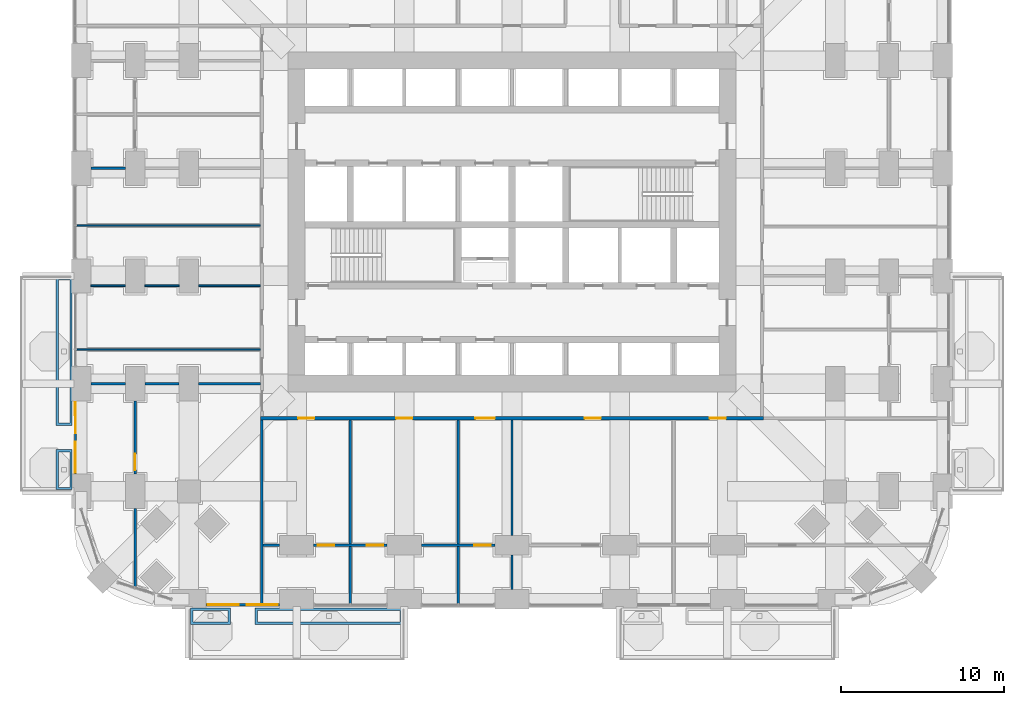
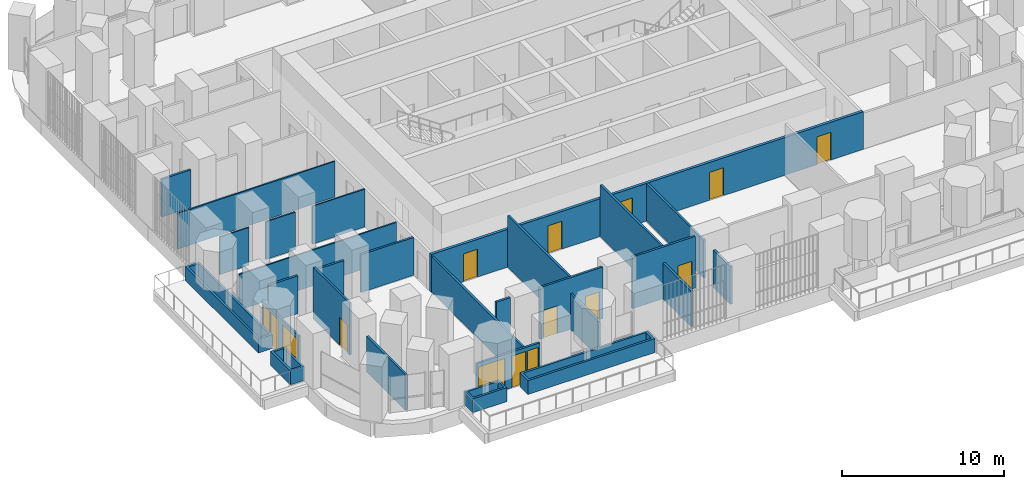
# One storey, part 18 of 27: 28 walls, 11 doors, 4 windows, 15 openings.
"""IFC4 building model written with IfcOpenShell, lengths in metres."""

from ifc_helpers import new_model, si_unit, direction, frame, frame_2d, origin, place, context, subcontext, project, spatial, polyline, rectangle, outline, extrude, material, layer, layer_set, type_object, element, fill, save


model = new_model("IFC4")

# Units and contexts
model_context = context("Model", 3, precision=1e-05, world=origin(), true_north=direction((0.0, 1.0)))
body_context = subcontext(model_context, "Body", "Model", "MODEL_VIEW")
ifc_project = project(units=[si_unit("LENGTHUNIT", "METRE"), si_unit("AREAUNIT", "SQUARE_METRE"), si_unit("VOLUMEUNIT", "CUBIC_METRE"), si_unit("PLANEANGLEUNIT", "RADIAN"), si_unit("MASSUNIT", "GRAM", prefix="KILO")], contexts=[model_context])

# Site, building, storey
site_placement = place(None, origin())
site = spatial("IfcSite", under=ifc_project, at=site_placement, CompositionType="ELEMENT")
building_placement = place(site_placement, origin())
building = spatial("IfcBuilding", under=site, at=building_placement, Name="Cobogo Forest Laboratory Tower", CompositionType="ELEMENT")
storey_placement = place(building_placement, frame((0.0, 0.0, 38.10009765625)))
storey = spatial("IfcBuildingStorey", under=building, at=storey_placement, Name="L08", CompositionType="ELEMENT", Elevation=38.10009765625)

# Wall, openings, door, windows
ifc_material_1 = material(Name="Aluminium framed glazed screen", Category="aluminium")
ifc_layer_1 = layer(ifc_material_1, 0.14990234375)
ifc_layer_set_1 = layer_set([ifc_layer_1], Name="GS1 glazed door screen 150")
wall_type_1 = type_object("IfcWallType", Name="GS1 glazed door screen 150", PredefinedType="SOLIDWALL", material=ifc_layer_set_1)
wall_1_placement = place(storey_placement, frame((7.64990234375, -0.35009765625, 0.0), z_axis=(0.0, 0.0, 1.0), x_axis=(1.0, 0.0, 0.0)))
wall_1 = element("IfcWall", 1, at=wall_1_placement, inside=storey, type_object=wall_type_1, Name="Door screen BAL-S1 L08", PredefinedType="SOLIDWALL", context=body_context, shape_type="SweptSolid", body=[
    extrude(rectangle(XDim=4.5, YDim=0.14990234375, at=frame_2d((2.25, 0.0))), origin(), (0.0, 0.0, 1.0), 2.699951171875),
])
opening_1_placement = place(wall_1_placement, frame((2.5, 0.0, 0.0)))
opening_1 = element("IfcOpeningElement", 2, at=opening_1_placement, cuts=wall_1, Name="Opening L08-D01", PredefinedType="OPENING", context=body_context, shape_type="SweptSolid", body=[
    extrude(rectangle(XDim=1.0, YDim=2.39990234375, at=frame_2d((0.5, 1.199951171875))), frame((0.0, 0.0849609375, 0.0), z_axis=(0.0, -1.0, 0.0), x_axis=(1.0, 0.0, 0.0)), (0.0, 0.0, 1.0), 0.169921875),
])
opening_2_placement = place(wall_1_placement, frame((0.10009765625, 0.0, 0.10009765625)))
opening_2 = element("IfcOpeningElement", 3, at=opening_2_placement, cuts=wall_1, Name="Opening L08-W01", PredefinedType="OPENING", context=body_context, shape_type="SweptSolid", body=[
    extrude(rectangle(XDim=1.89990234375, YDim=2.300048828125, at=frame_2d((0.949951171875, 1.14990234375))), frame((0.0, 0.0849609375, 0.0), z_axis=(0.0, -1.0, 0.0), x_axis=(1.0, 0.0, 0.0)), (0.0, 0.0, 1.0), 0.169921875),
])
opening_3_placement = place(wall_1_placement, frame((3.60009765625, 0.0, 0.10009765625)))
opening_3 = element("IfcOpeningElement", 4, at=opening_3_placement, cuts=wall_1, Name="Opening L08-W02", PredefinedType="OPENING", context=body_context, shape_type="SweptSolid", body=[
    extrude(rectangle(XDim=0.800048828125, YDim=2.300048828125, at=frame_2d((0.39990234375, 1.14990234375))), frame((0.0, 0.0849609375, 0.0), z_axis=(0.0, -1.0, 0.0), x_axis=(1.0, 0.0, 0.0)), (0.0, 0.0, 1.0), 0.169921875),
])
ifc_material_2 = material(Name="Aluminium glazed door", Category="aluminium")
door_type_1 = type_object("IfcDoorType", Name="DB1 balcony door 1000 glazed", OperationType="SINGLE_SWING_LEFT", PredefinedType="DOOR", material=ifc_material_2)
door_1_placement = place(opening_1_placement, origin())
door_1 = element("IfcDoor", 5, at=door_1_placement, inside=storey, type_object=door_type_1, Name="Door L08-BAL-S1", OperationType="SINGLE_SWING_RIGHT", OverallHeight=2.39990234375, OverallWidth=1.0, PredefinedType="DOOR", context=body_context, shape_type="SweptSolid", body=[
    extrude(rectangle(XDim=1.0, YDim=2.39990234375, at=frame_2d((0.5, 1.199951171875))), frame((0.0, 0.02490234375, 0.0), z_axis=(0.0, -1.0, 0.0), x_axis=(1.0, 0.0, 0.0)), (0.0, 0.0, 1.0), 0.050048828125),
])
fill(opening_1, door_1)
ifc_material_3 = material(Name="Aluminium framed glazing", Category="aluminium")
window_type_1 = type_object("IfcWindowType", Name="WG3 fixed glazed light 1900x2300", PartitioningType="SINGLE_PANEL", PredefinedType="WINDOW", material=ifc_material_3)
window_1_placement = place(opening_2_placement, origin())
window_1 = element("IfcWindow", 6, at=window_1_placement, inside=storey, type_object=window_type_1, Name="Window L08-BAL-S1-1", OverallHeight=2.300048828125, OverallWidth=1.89990234375, PartitioningType="SINGLE_PANEL", PredefinedType="WINDOW", context=body_context, shape_type="SweptSolid", body=[
    extrude(rectangle(XDim=1.89990234375, YDim=2.300048828125, at=frame_2d((0.949951171875, 1.14990234375))), frame((0.0, 0.030029296875, 0.0), z_axis=(0.0, -1.0, 0.0), x_axis=(1.0, 0.0, 0.0)), (0.0, 0.0, 1.0), 0.06005859375),
])
fill(opening_2, window_1)
window_type_2 = type_object("IfcWindowType", Name="WG4 fixed glazed light 800x2300", PartitioningType="SINGLE_PANEL", PredefinedType="WINDOW", material=ifc_material_3)
window_2_placement = place(opening_3_placement, origin())
window_2 = element("IfcWindow", 7, at=window_2_placement, inside=storey, type_object=window_type_2, Name="Window L08-BAL-S1-2", OverallHeight=2.300048828125, OverallWidth=0.800048828125, PartitioningType="SINGLE_PANEL", PredefinedType="WINDOW", context=body_context, shape_type="SweptSolid", body=[
    extrude(rectangle(XDim=0.800048828125, YDim=2.300048828125, at=frame_2d((0.39990234375, 1.14990234375))), frame((0.0, 0.030029296875, 0.0), z_axis=(0.0, -1.0, 0.0), x_axis=(1.0, 0.0, 0.0)), (0.0, 0.0, 1.0), 0.06005859375),
])
fill(opening_3, window_2)

wall_2_placement = place(storey_placement, frame((-0.35009765625, 12.14990234375, 0.0), z_axis=(0.0, 0.0, 1.0), x_axis=(0.0, -1.0, 0.0)))
wall_2 = element("IfcWall", 8, at=wall_2_placement, inside=storey, type_object=wall_type_1, Name="Door screen BAL-W1 L08", PredefinedType="SOLIDWALL", context=body_context, shape_type="SweptSolid", body=[
    extrude(rectangle(XDim=4.5, YDim=0.14990234375, at=frame_2d((2.25, 0.0))), origin(), (0.0, 0.0, 1.0), 2.699951171875),
])
opening_4_placement = place(wall_2_placement, frame((1.0, 0.0, 0.0)))
opening_4 = element("IfcOpeningElement", 9, at=opening_4_placement, cuts=wall_2, Name="Opening L08-D09", PredefinedType="OPENING", context=body_context, shape_type="SweptSolid", body=[
    extrude(rectangle(XDim=1.0, YDim=2.39990234375, at=frame_2d((0.5, 1.199951171875))), frame((0.0, 0.0849609375, 0.0), z_axis=(0.0, -1.0, 0.0), x_axis=(1.0, 0.0, 0.0)), (0.0, 0.0, 1.0), 0.169921875),
])
opening_5_placement = place(wall_2_placement, frame((0.10009765625, 0.0, 0.10009765625)))
opening_5 = element("IfcOpeningElement", 10, at=opening_5_placement, cuts=wall_2, Name="Opening L08-W07", PredefinedType="OPENING", context=body_context, shape_type="SweptSolid", body=[
    extrude(rectangle(XDim=0.800048828125, YDim=2.300048828125, at=frame_2d((0.39990234375, 1.14990234375))), frame((0.0, 0.0849609375, 0.0), z_axis=(0.0, -1.0, 0.0), x_axis=(1.0, 0.0, 0.0)), (0.0, 0.0, 1.0), 0.169921875),
])
opening_6_placement = place(wall_2_placement, frame((2.5, 0.0, 0.10009765625)))
opening_6 = element("IfcOpeningElement", 11, at=opening_6_placement, cuts=wall_2, Name="Opening L08-W05", PredefinedType="OPENING", context=body_context, shape_type="SweptSolid", body=[
    extrude(rectangle(XDim=1.89990234375, YDim=2.300048828125, at=frame_2d((0.949951171875, 1.14990234375))), frame((0.0, 0.0849609375, 0.0), z_axis=(0.0, -1.0, 0.0), x_axis=(1.0, 0.0, 0.0)), (0.0, 0.0, 1.0), 0.169921875),
])
door_2_placement = place(opening_4_placement, origin())
door_2 = element("IfcDoor", 12, at=door_2_placement, inside=storey, type_object=door_type_1, Name="Door L08-BAL-W1", OperationType="SINGLE_SWING_LEFT", OverallHeight=2.39990234375, OverallWidth=1.0, PredefinedType="DOOR", context=body_context, shape_type="SweptSolid", body=[
    extrude(rectangle(XDim=1.0, YDim=2.39990234375, at=frame_2d((0.5, 1.199951171875))), frame((0.0, 0.02490234375, 0.0), z_axis=(0.0, -1.0, 0.0), x_axis=(1.0, 0.0, 0.0)), (0.0, 0.0, 1.0), 0.050048828125),
])
fill(opening_4, door_2)
window_3_placement = place(opening_6_placement, origin())
window_3 = element("IfcWindow", 13, at=window_3_placement, inside=storey, type_object=window_type_1, Name="Window L08-BAL-W1-2", OverallHeight=2.300048828125, OverallWidth=1.89990234375, PartitioningType="SINGLE_PANEL", PredefinedType="WINDOW", context=body_context, shape_type="SweptSolid", body=[
    extrude(rectangle(XDim=1.89990234375, YDim=2.300048828125, at=frame_2d((0.949951171875, 1.14990234375))), frame((0.0, 0.030029296875, 0.0), z_axis=(0.0, -1.0, 0.0), x_axis=(1.0, 0.0, 0.0)), (0.0, 0.0, 1.0), 0.06005859375),
])
fill(opening_6, window_3)
window_4_placement = place(opening_5_placement, origin())
window_4 = element("IfcWindow", 14, at=window_4_placement, inside=storey, type_object=window_type_2, Name="Window L08-BAL-W1-1", OverallHeight=2.300048828125, OverallWidth=0.800048828125, PartitioningType="SINGLE_PANEL", PredefinedType="WINDOW", context=body_context, shape_type="SweptSolid", body=[
    extrude(rectangle(XDim=0.800048828125, YDim=2.300048828125, at=frame_2d((0.39990234375, 1.14990234375))), frame((0.0, 0.030029296875, 0.0), z_axis=(0.0, -1.0, 0.0), x_axis=(1.0, 0.0, 0.0)), (0.0, 0.0, 1.0), 0.06005859375),
])
fill(opening_5, window_4)

# Walls
ifc_material_4 = material(Name="Gypsum board on steel studs", Category="steel")
ifc_layer_2 = layer(ifc_material_4, 0.14990234375)
ifc_layer_set_2 = layer_set([ifc_layer_2], Name="PT1 laboratory partition 150")
wall_type_2 = type_object("IfcWallType", Name="PT1 laboratory partition 150", PredefinedType="PARTITIONING", material=ifc_layer_set_2)
wall_3_placement = place(storey_placement, frame((11.074951171875, -0.27001953125, 0.0), z_axis=(0.0, 0.0, 1.0), x_axis=(0.0, 1.0, 0.0)))
element("IfcWall", 15, at=wall_3_placement, inside=storey, type_object=wall_type_2, Name="Partition PW-SW L08", PredefinedType="PARTITIONING", context=body_context, shape_type="SweptSolid", body=[
    extrude(rectangle(XDim=11.2451171875, YDim=0.14990234375, at=frame_2d((5.62255859375, 0.0))), origin(), (0.0, 0.0, 1.0), 2.699951171875),
])
wall_4_placement = place(storey_placement, frame((11.14990234375, 3.300048828125, 0.0), z_axis=(0.0, 0.0, 1.0), x_axis=(1.0, 0.0, 0.0)))
element("IfcWall", 16, at=wall_4_placement, inside=storey, type_object=wall_type_2, Name="Partition STRIP-S-1 L08", PredefinedType="PARTITIONING", context=body_context, shape_type="SweptSolid", body=[
    extrude(rectangle(XDim=1.0, YDim=0.14990234375, at=frame_2d((0.5, 0.0))), origin(), (0.0, 0.0, 1.0), 3.89990234375),
])

# Wall, openings, doors
wall_5_placement = place(storey_placement, frame((14.25, 3.300048828125, 0.0), z_axis=(0.0, 0.0, 1.0), x_axis=(1.0, 0.0, 0.0)))
wall_5 = element("IfcWall", 17, at=wall_5_placement, inside=storey, type_object=wall_type_2, Name="Partition STRIP-S-2 L08", PredefinedType="PARTITIONING", context=body_context, shape_type="SweptSolid", body=[
    extrude(rectangle(XDim=4.5, YDim=0.14990234375, at=frame_2d((2.25, 0.0))), origin(), (0.0, 0.0, 1.0), 3.89990234375),
])
opening_7_placement = place(wall_5_placement, frame((0.25, 0.0, 0.0)))
opening_7 = element("IfcOpeningElement", 18, at=opening_7_placement, cuts=wall_5, Name="Opening L08-D03", PredefinedType="OPENING", context=body_context, shape_type="SweptSolid", body=[
    extrude(rectangle(XDim=1.0, YDim=2.10009765625, at=frame_2d((0.5, 1.050048828125))), frame((0.0, 0.0849609375, 0.0), z_axis=(0.0, -1.0, 0.0), x_axis=(1.0, 0.0, 0.0)), (0.0, 0.0, 1.0), 0.169921875),
])
opening_8_placement = place(wall_5_placement, frame((3.25, 0.0, 0.0)))
opening_8 = element("IfcOpeningElement", 19, at=opening_8_placement, cuts=wall_5, Name="Opening L08-D04", PredefinedType="OPENING", context=body_context, shape_type="SweptSolid", body=[
    extrude(rectangle(XDim=1.0, YDim=2.10009765625, at=frame_2d((0.5, 1.050048828125))), frame((0.0, 0.0849609375, 0.0), z_axis=(0.0, -1.0, 0.0), x_axis=(1.0, 0.0, 0.0)), (0.0, 0.0, 1.0), 0.169921875),
])
ifc_material_5 = material(Name="Timber fire door", Category="wood")
door_type_2 = type_object("IfcDoorType", Name="FD2 fire door 1000 EI2 30", OperationType="SINGLE_SWING_LEFT", PredefinedType="DOOR", material=ifc_material_5)
door_3_placement = place(opening_7_placement, origin())
door_3 = element("IfcDoor", 20, at=door_3_placement, inside=storey, type_object=door_type_2, Name="Door L08-S1W", OperationType="SINGLE_SWING_LEFT", OverallHeight=2.10009765625, OverallWidth=1.0, PredefinedType="DOOR", context=body_context, shape_type="SweptSolid", body=[
    extrude(rectangle(XDim=1.0, YDim=2.10009765625, at=frame_2d((0.5, 1.050048828125))), frame((0.0, 0.02490234375, 0.0), z_axis=(0.0, -1.0, 0.0), x_axis=(1.0, 0.0, 0.0)), (0.0, 0.0, 1.0), 0.050048828125),
])
fill(opening_7, door_3)
door_4_placement = place(opening_8_placement, origin())
door_4 = element("IfcDoor", 21, at=door_4_placement, inside=storey, type_object=door_type_2, Name="Door L08-S2W", OperationType="SINGLE_SWING_RIGHT", OverallHeight=2.10009765625, OverallWidth=1.0, PredefinedType="DOOR", context=body_context, shape_type="SweptSolid", body=[
    extrude(rectangle(XDim=1.0, YDim=2.10009765625, at=frame_2d((0.5, 1.050048828125))), frame((0.0, 0.02490234375, 0.0), z_axis=(0.0, -1.0, 0.0), x_axis=(1.0, 0.0, 0.0)), (0.0, 0.0, 1.0), 0.050048828125),
])
fill(opening_8, door_4)

# Wall, opening, door
wall_6_placement = place(storey_placement, frame((20.85009765625, 3.300048828125, 0.0), z_axis=(0.0, 0.0, 1.0), x_axis=(1.0, 0.0, 0.0)))
wall_6 = element("IfcWall", 22, at=wall_6_placement, inside=storey, type_object=wall_type_2, Name="Partition STRIP-S-3 L08", PredefinedType="PARTITIONING", context=body_context, shape_type="SweptSolid", body=[
    extrude(rectangle(XDim=4.5, YDim=0.14990234375, at=frame_2d((2.25, 0.0))), origin(), (0.0, 0.0, 1.0), 3.89990234375),
])
opening_9_placement = place(wall_6_placement, frame((3.25, 0.0, 0.0)))
opening_9 = element("IfcOpeningElement", 23, at=opening_9_placement, cuts=wall_6, Name="Opening L08-D05", PredefinedType="OPENING", context=body_context, shape_type="SweptSolid", body=[
    extrude(rectangle(XDim=1.0, YDim=2.10009765625, at=frame_2d((0.5, 1.050048828125))), frame((0.0, 0.0849609375, 0.0), z_axis=(0.0, -1.0, 0.0), x_axis=(1.0, 0.0, 0.0)), (0.0, 0.0, 1.0), 0.169921875),
])
door_5_placement = place(opening_9_placement, origin())
door_5 = element("IfcDoor", 24, at=door_5_placement, inside=storey, type_object=door_type_2, Name="Door L08-S3W", OperationType="SINGLE_SWING_RIGHT", OverallHeight=2.10009765625, OverallWidth=1.0, PredefinedType="DOOR", context=body_context, shape_type="SweptSolid", body=[
    extrude(rectangle(XDim=1.0, YDim=2.10009765625, at=frame_2d((0.5, 1.050048828125))), frame((0.0, 0.02490234375, 0.0), z_axis=(0.0, -1.0, 0.0), x_axis=(1.0, 0.0, 0.0)), (0.0, 0.0, 1.0), 0.050048828125),
])
fill(opening_9, door_5)

# Walls
wall_7_placement = place(storey_placement, frame((16.5, -0.27001953125, 0.0), z_axis=(0.0, 0.0, 1.0), x_axis=(0.0, 1.0, 0.0)))
element("IfcWall", 25, at=wall_7_placement, inside=storey, type_object=wall_type_2, Name="Partition CUT-S16.5a-1 L08", PredefinedType="PARTITIONING", context=body_context, shape_type="SweptSolid", body=[
    extrude(rectangle(XDim=3.4951171875, YDim=0.14990234375, at=frame_2d((1.74755859375, 0.0))), origin(), (0.0, 0.0, 1.0), 2.699951171875),
])
wall_8_placement = place(storey_placement, frame((16.5, 3.375, 0.0), z_axis=(0.0, 0.0, 1.0), x_axis=(0.0, 1.0, 0.0)))
element("IfcWall", 26, at=wall_8_placement, inside=storey, type_object=wall_type_2, Name="Partition CUT-S16.5b-1 L08", PredefinedType="PARTITIONING", context=body_context, shape_type="SweptSolid", body=[
    extrude(rectangle(XDim=7.60009765625, YDim=0.14990234375, at=frame_2d((3.800048828125, 0.0))), origin(), (0.0, 0.0, 1.0), 3.89990234375),
])
wall_9_placement = place(storey_placement, frame((23.10009765625, -0.27001953125, 0.0), z_axis=(0.0, 0.0, 1.0), x_axis=(0.0, 1.0, 0.0)))
element("IfcWall", 27, at=wall_9_placement, inside=storey, type_object=wall_type_2, Name="Partition CUT-S23.1a-1 L08", PredefinedType="PARTITIONING", context=body_context, shape_type="SweptSolid", body=[
    extrude(rectangle(XDim=3.4951171875, YDim=0.14990234375, at=frame_2d((1.74755859375, 0.0))), origin(), (0.0, 0.0, 1.0), 2.699951171875),
])
wall_10_placement = place(storey_placement, frame((23.10009765625, 3.375, 0.0), z_axis=(0.0, 0.0, 1.0), x_axis=(0.0, 1.0, 0.0)))
element("IfcWall", 28, at=wall_10_placement, inside=storey, type_object=wall_type_2, Name="Partition CUT-S23.1b-1 L08", PredefinedType="PARTITIONING", context=body_context, shape_type="SweptSolid", body=[
    extrude(rectangle(XDim=7.60009765625, YDim=0.14990234375, at=frame_2d((3.800048828125, 0.0))), origin(), (0.0, 0.0, 1.0), 3.89990234375),
])
wall_11_placement = place(storey_placement, frame((26.39990234375, 0.60009765625, 0.0), z_axis=(0.0, 0.0, 1.0), x_axis=(0.0, 1.0, 0.0)))
element("IfcWall", 29, at=wall_11_placement, inside=storey, type_object=wall_type_2, Name="Partition CUT-S26.4a-1 L08", PredefinedType="PARTITIONING", context=body_context, shape_type="SweptSolid", body=[
    extrude(rectangle(XDim=2.099853515625, YDim=0.14990234375, at=frame_2d((1.0498046875, 0.0))), origin(), (0.0, 0.0, 1.0), 2.849853515625),
])
wall_12_placement = place(storey_placement, frame((26.39990234375, 3.89990234375, 0.0), z_axis=(0.0, 0.0, 1.0), x_axis=(0.0, 1.0, 0.0)))
element("IfcWall", 30, at=wall_12_placement, inside=storey, type_object=wall_type_2, Name="Partition CUT-S26.4b-1 L08", PredefinedType="PARTITIONING", context=body_context, shape_type="SweptSolid", body=[
    extrude(rectangle(XDim=7.0751953125, YDim=0.14990234375, at=frame_2d((3.53759765625, 0.0))), origin(), (0.0, 0.0, 1.0), 2.849853515625),
])

# Wall, opening, door
wall_13_placement = place(storey_placement, frame((3.300048828125, 12.14990234375, 0.0), z_axis=(0.0, 0.0, 1.0), x_axis=(0.0, -1.0, 0.0)))
wall_13 = element("IfcWall", 31, at=wall_13_placement, inside=storey, type_object=wall_type_2, Name="Partition STRIP-W-2 L08", PredefinedType="PARTITIONING", context=body_context, shape_type="SweptSolid", body=[
    extrude(rectangle(XDim=4.5, YDim=0.14990234375, at=frame_2d((2.25, 0.0))), origin(), (0.0, 0.0, 1.0), 3.89990234375),
])
opening_10_placement = place(wall_13_placement, frame((3.25, 0.0, 0.0)))
opening_10 = element("IfcOpeningElement", 32, at=opening_10_placement, cuts=wall_13, Name="Opening L08-D08", PredefinedType="OPENING", context=body_context, shape_type="SweptSolid", body=[
    extrude(rectangle(XDim=1.0, YDim=2.10009765625, at=frame_2d((0.5, 1.050048828125))), frame((0.0, 0.0849609375, 0.0), z_axis=(0.0, -1.0, 0.0), x_axis=(1.0, 0.0, 0.0)), (0.0, 0.0, 1.0), 0.169921875),
])
door_6_placement = place(opening_10_placement, origin())
door_6 = element("IfcDoor", 33, at=door_6_placement, inside=storey, type_object=door_type_2, Name="Door L08-W1W", OperationType="SINGLE_SWING_RIGHT", OverallHeight=2.10009765625, OverallWidth=1.0, PredefinedType="DOOR", context=body_context, shape_type="SweptSolid", body=[
    extrude(rectangle(XDim=1.0, YDim=2.10009765625, at=frame_2d((0.5, 1.050048828125))), frame((0.0, 0.02490234375, 0.0), z_axis=(0.0, -1.0, 0.0), x_axis=(1.0, 0.0, 0.0)), (0.0, 0.0, 1.0), 0.050048828125),
])
fill(opening_10, door_6)

# Walls
wall_14_placement = place(storey_placement, frame((3.300048828125, 5.550048828125, 0.0), z_axis=(0.0, 0.0, 1.0), x_axis=(0.0, -1.0, 0.0)))
element("IfcWall", 34, at=wall_14_placement, inside=storey, type_object=wall_type_2, Name="Partition STRIP-W-3 L08", PredefinedType="PARTITIONING", context=body_context, shape_type="SweptSolid", body=[
    extrude(rectangle(XDim=4.77392578125, YDim=0.14990234375, at=frame_2d((2.386962890625, 0.0))), origin(), (0.0, 0.0, 1.0), 2.699951171875),
])
wall_15_placement = place(storey_placement, frame((0.60009765625, 13.199951171875, 0.0), z_axis=(0.0, 0.0, 1.0), x_axis=(1.0, 0.0, 0.0)))
element("IfcWall", 35, at=wall_15_placement, inside=storey, type_object=wall_type_2, Name="Partition CUT-W13.2-1 L08", PredefinedType="PARTITIONING", context=body_context, shape_type="SweptSolid", body=[
    extrude(rectangle(XDim=2.099853515625, YDim=0.14990234375, at=frame_2d((1.0498046875, 0.0))), origin(), (0.0, 0.0, 1.0), 2.849853515625),
])
wall_16_placement = place(storey_placement, frame((3.89990234375, 13.199951171875, 0.0), z_axis=(0.0, 0.0, 1.0), x_axis=(1.0, 0.0, 0.0)))
element("IfcWall", 36, at=wall_16_placement, inside=storey, type_object=wall_type_2, Name="Partition CUT-W13.2-2 L08", PredefinedType="PARTITIONING", context=body_context, shape_type="SweptSolid", body=[
    extrude(rectangle(XDim=2.10009765625, YDim=0.14990234375, at=frame_2d((1.050048828125, 0.0))), origin(), (0.0, 0.0, 1.0), 2.849853515625),
])
wall_17_placement = place(storey_placement, frame((7.199951171875, 13.199951171875, 0.0), z_axis=(0.0, 0.0, 1.0), x_axis=(1.0, 0.0, 0.0)))
element("IfcWall", 37, at=wall_17_placement, inside=storey, type_object=wall_type_2, Name="Partition CUT-W13.2-3 L08", PredefinedType="PARTITIONING", context=body_context, shape_type="SweptSolid", body=[
    extrude(rectangle(XDim=3.775146484375, YDim=0.14990234375, at=frame_2d((1.8876953125, 0.0))), origin(), (0.0, 0.0, 1.0), 2.849853515625),
])
wall_18_placement = place(storey_placement, frame((0.60009765625, 26.39990234375, 0.0), z_axis=(0.0, 0.0, 1.0), x_axis=(1.0, 0.0, 0.0)))
element("IfcWall", 38, at=wall_18_placement, inside=storey, type_object=wall_type_2, Name="Partition CUT-W26.4-1 L08", PredefinedType="PARTITIONING", context=body_context, shape_type="SweptSolid", body=[
    extrude(rectangle(XDim=2.099853515625, YDim=0.14990234375, at=frame_2d((1.0498046875, 0.0))), origin(), (0.0, 0.0, 1.0), 2.849853515625),
])

# Wall, openings, doors
ifc_layer_3 = layer(ifc_material_4, 0.199951171875)
ifc_layer_set_3 = layer_set([ifc_layer_3], Name="PT2 fire-rated corridor partition 200")
wall_type_3 = type_object("IfcWallType", Name="PT2 fire-rated corridor partition 200", PredefinedType="PARTITIONING", material=ifc_layer_set_3)
wall_19_placement = place(storey_placement, frame((10.97509765625, 11.074951171875, 0.0), z_axis=(0.0, 0.0, 1.0), x_axis=(1.0, 0.0, 0.0)))
wall_19 = element("IfcWall", 39, at=wall_19_placement, inside=storey, type_object=wall_type_3, Name="Partition CORR-S L08", PredefinedType="PARTITIONING", context=body_context, shape_type="SweptSolid", body=[
    extrude(rectangle(XDim=30.849853515625, YDim=0.199951171875, at=frame_2d((15.4248046875, 0.0))), origin(), (0.0, 0.0, 1.0), 2.849853515625),
])
opening_11_placement = place(wall_19_placement, frame((2.3125, 0.0, 0.0)))
opening_11 = element("IfcOpeningElement", 40, at=opening_11_placement, cuts=wall_19, Name="Opening L08-D11", PredefinedType="OPENING", context=body_context, shape_type="SweptSolid", body=[
    extrude(rectangle(XDim=1.0, YDim=2.10009765625, at=frame_2d((0.5, 1.050048828125))), frame((0.0, 0.10986328125, 0.0), z_axis=(0.0, -1.0, 0.0), x_axis=(1.0, 0.0, 0.0)), (0.0, 0.0, 1.0), 0.219970703125),
])
opening_12_placement = place(wall_19_placement, frame((8.324951171875, 0.0, 0.0)))
opening_12 = element("IfcOpeningElement", 41, at=opening_12_placement, cuts=wall_19, Name="Opening L08-D12", PredefinedType="OPENING", context=body_context, shape_type="SweptSolid", body=[
    extrude(rectangle(XDim=1.0, YDim=2.10009765625, at=frame_2d((0.5, 1.050048828125))), frame((0.0, 0.10986328125, 0.0), z_axis=(0.0, -1.0, 0.0), x_axis=(1.0, 0.0, 0.0)), (0.0, 0.0, 1.0), 0.219970703125),
])
opening_13_placement = place(wall_19_placement, frame((13.175048828125, 0.0, 0.0)))
opening_13 = element("IfcOpeningElement", 42, at=opening_13_placement, cuts=wall_19, Name="Opening L08-D13", PredefinedType="OPENING", context=body_context, shape_type="SweptSolid", body=[
    extrude(rectangle(XDim=1.199951171875, YDim=2.10009765625, at=frame_2d((0.60009765625, 1.050048828125))), frame((0.0, 0.10986328125, 0.0), z_axis=(0.0, -1.0, 0.0), x_axis=(1.0, 0.0, 0.0)), (0.0, 0.0, 1.0), 0.219970703125),
])
opening_14_placement = place(wall_19_placement, frame((19.875, 0.0, 0.0)))
opening_14 = element("IfcOpeningElement", 43, at=opening_14_placement, cuts=wall_19, Name="Opening L08-D14", PredefinedType="OPENING", context=body_context, shape_type="SweptSolid", body=[
    extrude(rectangle(XDim=1.0, YDim=2.10009765625, at=frame_2d((0.5, 1.050048828125))), frame((0.0, 0.10986328125, 0.0), z_axis=(0.0, -1.0, 0.0), x_axis=(1.0, 0.0, 0.0)), (0.0, 0.0, 1.0), 0.219970703125),
])
opening_15_placement = place(wall_19_placement, frame((27.53759765625, 0.0, 0.0)))
opening_15 = element("IfcOpeningElement", 44, at=opening_15_placement, cuts=wall_19, Name="Opening L08-D15", PredefinedType="OPENING", context=body_context, shape_type="SweptSolid", body=[
    extrude(rectangle(XDim=1.0, YDim=2.10009765625, at=frame_2d((0.5, 1.050048828125))), frame((0.0, 0.10986328125, 0.0), z_axis=(0.0, -1.0, 0.0), x_axis=(1.0, 0.0, 0.0)), (0.0, 0.0, 1.0), 0.219970703125),
])
ifc_material_6 = material(Name="Timber door", Category="wood")
door_type_3 = type_object("IfcDoorType", Name="D2 laboratory door 1200 unequal pair", OperationType="DOUBLE_DOOR_SINGLE_SWING", PredefinedType="DOOR", material=ifc_material_6)
door_7_placement = place(opening_13_placement, origin())
door_7 = element("IfcDoor", 45, at=door_7_placement, inside=storey, type_object=door_type_3, Name="Door L08-S3", OperationType="DOUBLE_DOOR_SINGLE_SWING", OverallHeight=2.10009765625, OverallWidth=1.199951171875, PredefinedType="DOOR", context=body_context, shape_type="SweptSolid", body=[
    extrude(rectangle(XDim=1.199951171875, YDim=2.10009765625, at=frame_2d((0.60009765625, 1.050048828125))), frame((0.0, 0.02490234375, 0.0), z_axis=(0.0, -1.0, 0.0), x_axis=(1.0, 0.0, 0.0)), (0.0, 0.0, 1.0), 0.050048828125),
])
fill(opening_13, door_7)
door_8_placement = place(opening_11_placement, origin())
door_8 = element("IfcDoor", 46, at=door_8_placement, inside=storey, type_object=door_type_2, Name="Door L08-S1", OperationType="SINGLE_SWING_LEFT", OverallHeight=2.10009765625, OverallWidth=1.0, PredefinedType="DOOR", context=body_context, shape_type="SweptSolid", body=[
    extrude(rectangle(XDim=1.0, YDim=2.10009765625, at=frame_2d((0.5, 1.050048828125))), frame((0.0, 0.02490234375, 0.0), z_axis=(0.0, -1.0, 0.0), x_axis=(1.0, 0.0, 0.0)), (0.0, 0.0, 1.0), 0.050048828125),
])
fill(opening_11, door_8)
door_9_placement = place(opening_12_placement, origin())
door_9 = element("IfcDoor", 47, at=door_9_placement, inside=storey, type_object=door_type_2, Name="Door L08-S2", OperationType="SINGLE_SWING_LEFT", OverallHeight=2.10009765625, OverallWidth=1.0, PredefinedType="DOOR", context=body_context, shape_type="SweptSolid", body=[
    extrude(rectangle(XDim=1.0, YDim=2.10009765625, at=frame_2d((0.5, 1.050048828125))), frame((0.0, 0.02490234375, 0.0), z_axis=(0.0, -1.0, 0.0), x_axis=(1.0, 0.0, 0.0)), (0.0, 0.0, 1.0), 0.050048828125),
])
fill(opening_12, door_9)
door_10_placement = place(opening_14_placement, origin())
door_10 = element("IfcDoor", 48, at=door_10_placement, inside=storey, type_object=door_type_2, Name="Door L08-S4", OperationType="SINGLE_SWING_RIGHT", OverallHeight=2.10009765625, OverallWidth=1.0, PredefinedType="DOOR", context=body_context, shape_type="SweptSolid", body=[
    extrude(rectangle(XDim=1.0, YDim=2.10009765625, at=frame_2d((0.5, 1.050048828125))), frame((0.0, 0.02490234375, 0.0), z_axis=(0.0, -1.0, 0.0), x_axis=(1.0, 0.0, 0.0)), (0.0, 0.0, 1.0), 0.050048828125),
])
fill(opening_14, door_10)
door_11_placement = place(opening_15_placement, origin())
door_11 = element("IfcDoor", 49, at=door_11_placement, inside=storey, type_object=door_type_2, Name="Door L08-S5", OperationType="SINGLE_SWING_RIGHT", OverallHeight=2.10009765625, OverallWidth=1.0, PredefinedType="DOOR", context=body_context, shape_type="SweptSolid", body=[
    extrude(rectangle(XDim=1.0, YDim=2.10009765625, at=frame_2d((0.5, 1.050048828125))), frame((0.0, 0.02490234375, 0.0), z_axis=(0.0, -1.0, 0.0), x_axis=(1.0, 0.0, 0.0)), (0.0, 0.0, 1.0), 0.050048828125),
])
fill(opening_15, door_11)

# Walls
ifc_layer_4 = layer(ifc_material_4, 0.10009765625)
ifc_layer_set_4 = layer_set([ifc_layer_4], Name="PT3 toilet partition 100")
wall_type_4 = type_object("IfcWallType", Name="PT3 toilet partition 100", PredefinedType="PARTITIONING", material=ifc_layer_set_4)
wall_20_placement = place(storey_placement, frame((-0.27001953125, 15.300048828125, 0.0), z_axis=(0.0, 0.0, 1.0), x_axis=(1.0, 0.0, 0.0)))
element("IfcWall", 50, at=wall_20_placement, inside=storey, type_object=wall_type_4, Name="Partition SVC-W1-1 L08", PredefinedType="PARTITIONING", context=body_context, shape_type="SweptSolid", body=[
    extrude(rectangle(XDim=11.2451171875, YDim=0.10009765625, at=frame_2d((5.62255859375, 0.0))), origin(), (0.0, 0.0, 1.0), 2.699951171875),
])
wall_21_placement = place(storey_placement, frame((0.60009765625, 19.199951171875, 0.0), z_axis=(0.0, 0.0, 1.0), x_axis=(1.0, 0.0, 0.0)))
element("IfcWall", 51, at=wall_21_placement, inside=storey, type_object=wall_type_4, Name="Partition SVC-W2-1 L08", PredefinedType="PARTITIONING", context=body_context, shape_type="SweptSolid", body=[
    extrude(rectangle(XDim=2.099853515625, YDim=0.10009765625, at=frame_2d((1.0498046875, 0.0))), origin(), (0.0, 0.0, 1.0), 2.849853515625),
])
wall_22_placement = place(storey_placement, frame((3.89990234375, 19.199951171875, 0.0), z_axis=(0.0, 0.0, 1.0), x_axis=(1.0, 0.0, 0.0)))
element("IfcWall", 52, at=wall_22_placement, inside=storey, type_object=wall_type_4, Name="Partition SVC-W2-2 L08", PredefinedType="PARTITIONING", context=body_context, shape_type="SweptSolid", body=[
    extrude(rectangle(XDim=2.10009765625, YDim=0.10009765625, at=frame_2d((1.050048828125, 0.0))), origin(), (0.0, 0.0, 1.0), 2.849853515625),
])
wall_23_placement = place(storey_placement, frame((7.199951171875, 19.199951171875, 0.0), z_axis=(0.0, 0.0, 1.0), x_axis=(1.0, 0.0, 0.0)))
element("IfcWall", 53, at=wall_23_placement, inside=storey, type_object=wall_type_4, Name="Partition SVC-W2-3 L08", PredefinedType="PARTITIONING", context=body_context, shape_type="SweptSolid", body=[
    extrude(rectangle(XDim=3.775146484375, YDim=0.10009765625, at=frame_2d((1.8876953125, 0.0))), origin(), (0.0, 0.0, 1.0), 2.849853515625),
])
wall_24_placement = place(storey_placement, frame((-0.27001953125, 22.89990234375, 0.0), z_axis=(0.0, 0.0, 1.0), x_axis=(1.0, 0.0, 0.0)))
element("IfcWall", 54, at=wall_24_placement, inside=storey, type_object=wall_type_4, Name="Partition SVC-W3-1 L08", PredefinedType="PARTITIONING", context=body_context, shape_type="SweptSolid", body=[
    extrude(rectangle(XDim=11.2451171875, YDim=0.10009765625, at=frame_2d((5.62255859375, 0.0))), origin(), (0.0, 0.0, 1.0), 2.699951171875),
])
ifc_material_7 = material(Name="Concrete HA-40 (C40/50)", Category="concrete")
ifc_layer_5 = layer(ifc_material_7, 0.14990234375)
ifc_layer_set_5 = layer_set([ifc_layer_5], Name="Planter box 1000x1050")
wall_type_5 = type_object("IfcWallType", Name="Planter box 1000x1050", PredefinedType="USERDEFINED", material=ifc_layer_set_5)
wall_25_placement = place(storey_placement, origin())
element("IfcWall", 55, at=wall_25_placement, inside=storey, type_object=wall_type_5, Name="Planter BAL-S1-1 L08", ObjectType="PLANTER", PredefinedType="USERDEFINED", context=body_context, shape_type="SweptSolid", body=[
    extrude(outline(polyline([(6.699951171875, -1.550048828125), (9.14990234375, -1.550048828125), (9.14990234375, -0.550048828125), (6.699951171875, -0.550048828125), (6.699951171875, -1.550048828125)]), holes=[polyline([(6.85009765625, -1.39990234375), (9.0, -1.39990234375), (9.0, -0.699951171875), (6.85009765625, -0.699951171875), (6.85009765625, -1.39990234375)])]), origin(), (0.0, 0.0, 1.0), 1.0498046875),
])
wall_26_placement = place(storey_placement, origin())
element("IfcWall", 56, at=wall_26_placement, inside=storey, type_object=wall_type_5, Name="Planter BAL-S1-2 L08", ObjectType="PLANTER", PredefinedType="USERDEFINED", context=body_context, shape_type="SweptSolid", body=[
    extrude(outline(polyline([(10.64990234375, -1.550048828125), (19.699951171875, -1.550048828125), (19.699951171875, -0.550048828125), (10.64990234375, -0.550048828125), (10.64990234375, -1.550048828125)]), holes=[polyline([(10.800048828125, -1.39990234375), (19.550048828125, -1.39990234375), (19.550048828125, -0.699951171875), (10.800048828125, -0.699951171875), (10.800048828125, -1.39990234375)])]), origin(), (0.0, 0.0, 1.0), 1.0498046875),
])
wall_27_placement = place(storey_placement, origin())
element("IfcWall", 57, at=wall_27_placement, inside=storey, type_object=wall_type_5, Name="Planter BAL-W1-1 L08", ObjectType="PLANTER", PredefinedType="USERDEFINED", context=body_context, shape_type="SweptSolid", body=[
    extrude(outline(polyline([(-1.550048828125, 6.699951171875), (-0.550048828125, 6.699951171875), (-0.550048828125, 9.14990234375), (-1.550048828125, 9.14990234375), (-1.550048828125, 6.699951171875)]), holes=[polyline([(-1.39990234375, 6.85009765625), (-0.699951171875, 6.85009765625), (-0.699951171875, 9.0), (-1.39990234375, 9.0), (-1.39990234375, 6.85009765625)])]), origin(), (0.0, 0.0, 1.0), 1.0498046875),
])
wall_28_placement = place(storey_placement, origin())
element("IfcWall", 58, at=wall_28_placement, inside=storey, type_object=wall_type_5, Name="Planter BAL-W1-2 L08", ObjectType="PLANTER", PredefinedType="USERDEFINED", context=body_context, shape_type="SweptSolid", body=[
    extrude(outline(polyline([(-1.550048828125, 10.64990234375), (-0.550048828125, 10.64990234375), (-0.550048828125, 19.699951171875), (-1.550048828125, 19.699951171875), (-1.550048828125, 10.64990234375)]), holes=[polyline([(-1.39990234375, 10.800048828125), (-0.699951171875, 10.800048828125), (-0.699951171875, 19.550048828125), (-1.39990234375, 19.550048828125), (-1.39990234375, 10.800048828125)])]), origin(), (0.0, 0.0, 1.0), 1.0498046875),
])

save(model, "model.ifc")
